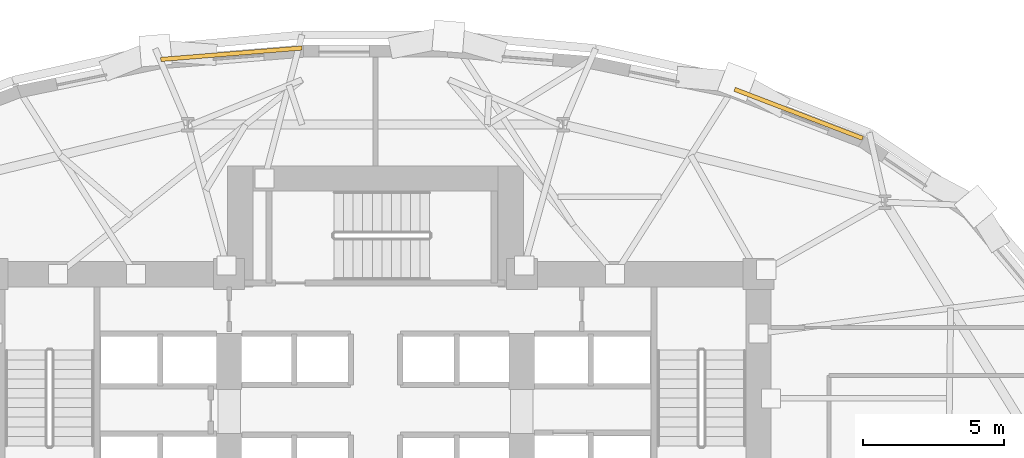
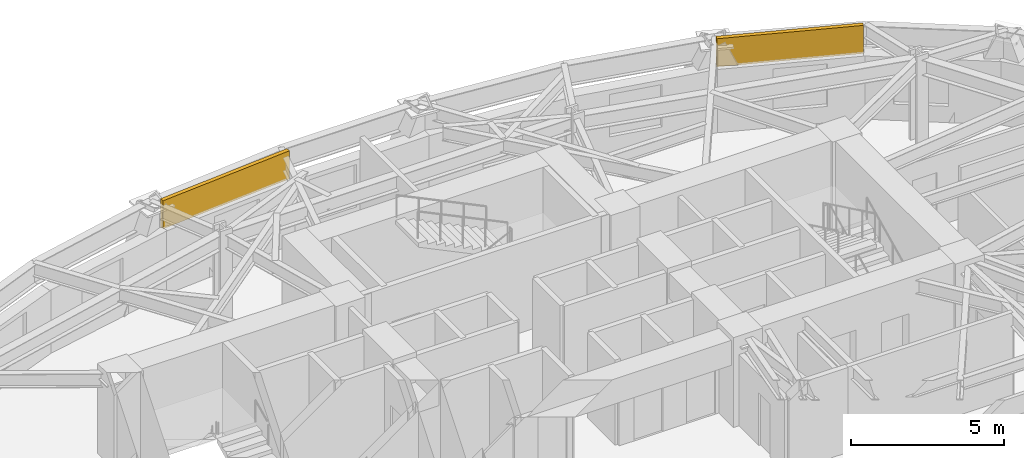
# One storey, part 13 of 13: 2 coverings.
"""IFC4 building model written with IfcOpenShell, lengths in metres."""

from ifc_helpers import new_model, si_unit, direction, frame, origin, origin_2d, place, context, subcontext, project, spatial, rectangle, extrude, material, layer, layer_set, type_object, element, save


model = new_model("IFC4")

# Units and contexts
model_context = context("Model", 3, precision=1e-05, world=origin(), true_north=direction((0.0, 1.0)))
body_context = subcontext(model_context, "Body", "Model", "MODEL_VIEW")
ifc_project = project(units=[si_unit("LENGTHUNIT", "METRE"), si_unit("AREAUNIT", "SQUARE_METRE"), si_unit("VOLUMEUNIT", "CUBIC_METRE"), si_unit("PLANEANGLEUNIT", "RADIAN"), si_unit("MASSUNIT", "GRAM", prefix="KILO")], contexts=[model_context])

# Site, building, storey
site_placement = place(None, origin())
site = spatial("IfcSite", under=ifc_project, at=site_placement, CompositionType="ELEMENT")
building_placement = place(site_placement, origin())
building = spatial("IfcBuilding", under=site, at=building_placement, Name="Keldmark Tower", CompositionType="ELEMENT")
storey_placement = place(building_placement, frame((0.0, 0.0, 34.199951171875)))
storey = spatial("IfcBuildingStorey", under=building, at=storey_placement, Name="L08", CompositionType="ELEMENT", Elevation=34.199951171875)

# Coverings
ifc_material = material(Name="Honed Kasota Buff Dolomitic Limestone", Category="masonry")
ifc_layer = layer(ifc_material, 0.074951171875)
ifc_layer_set = layer_set([ifc_layer], Name="Honed Kasota Buff Dolomitic Limestone")
covering_type = type_object("IfcCoveringType", Name="Kasota Buff Limestone Spandrel Cladding Band", PredefinedType="CLADDING", material=ifc_layer_set)
covering_1_placement = place(storey_placement, frame((15.0283203125, 15.144775390625, 2.453125), z_axis=(0.0, 0.0, 1.0), x_axis=(-0.933936482392, 0.35743901138, 0.0)))
element("IfcCovering", 1, at=covering_1_placement, inside=storey, type_object=covering_type, Name="L08 Kasota Limestone Spandrel Band 05", PredefinedType="CLADDING", context=body_context, shape_type="SweptSolid", body=[
    extrude(rectangle(XDim=4.86865234375, YDim=0.14990234375, at=origin_2d()), origin(), (0.0, 0.0, 1.0), 1.126953125),
])
covering_2_placement = place(storey_placement, frame((-5.118408203125, 17.2783203125, 2.453125), z_axis=(0.0, 0.0, 1.0), x_axis=(-0.996731111958, -0.080790410667, 0.0)))
element("IfcCovering", 2, at=covering_2_placement, inside=storey, type_object=covering_type, Name="L08 Kasota Limestone Spandrel Band 09", PredefinedType="CLADDING", context=body_context, shape_type="SweptSolid", body=[
    extrude(rectangle(XDim=5.033203125, YDim=0.14990234375, at=origin_2d()), origin(), (0.0, 0.0, 1.0), 1.126953125),
])

save(model, "model.ifc")
